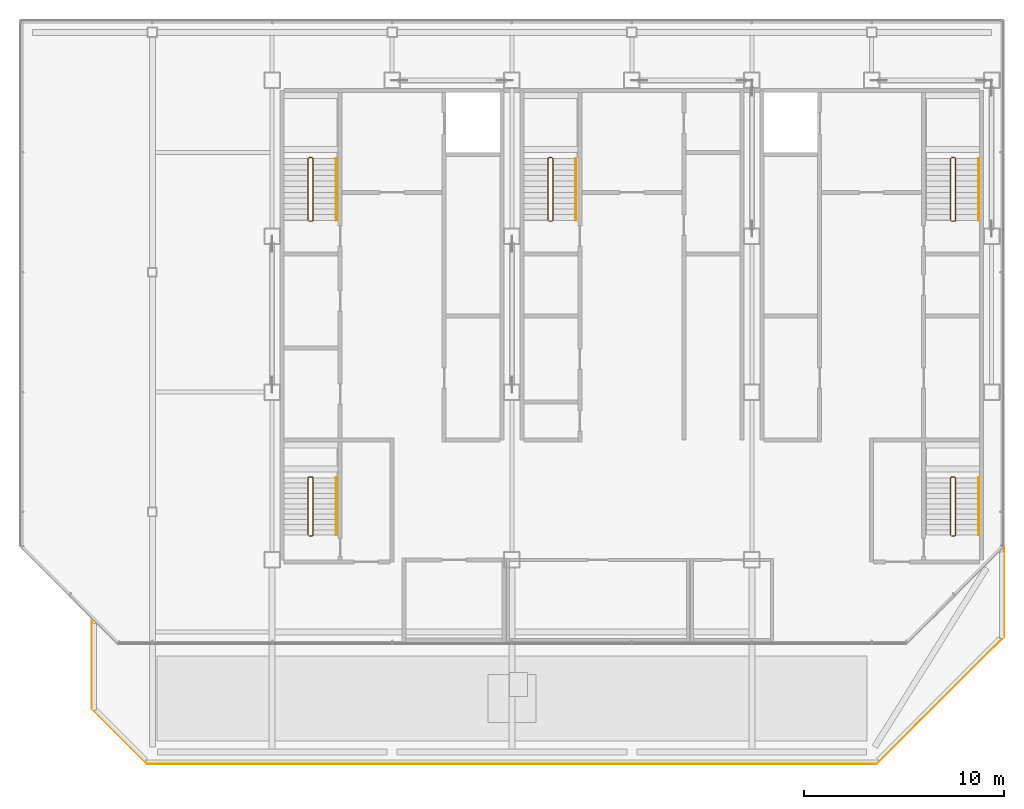
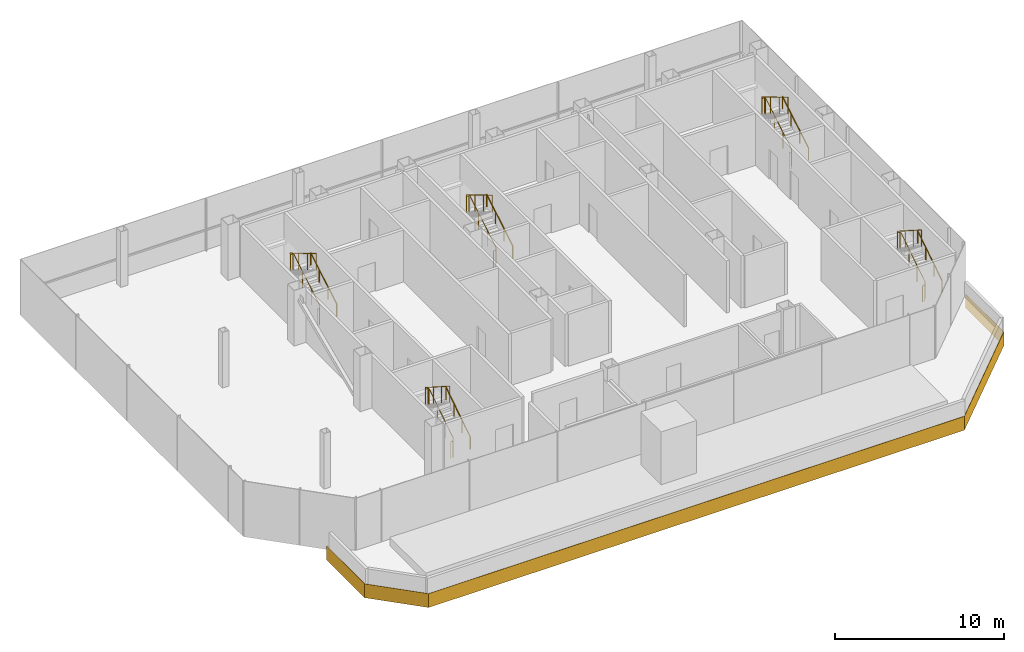
# One storey, part 17 of 18: 10 railings, 1 covering.
"""IFC4 building model written with IfcOpenShell, lengths in metres."""

from ifc_helpers import new_model, si_unit, direction, frame, origin, origin_2d, place, context, subcontext, project, spatial, polyline, circle, outline, extrude, material, layer, layer_set, type_object, element, save


model = new_model("IFC4")

# Units and contexts
model_context = context("Model", 3, precision=1e-05, world=origin(), true_north=direction((0.0, 1.0)))
body_context = subcontext(model_context, "Body", "Model", "MODEL_VIEW")
ifc_project = project(units=[si_unit("LENGTHUNIT", "METRE"), si_unit("AREAUNIT", "SQUARE_METRE"), si_unit("VOLUMEUNIT", "CUBIC_METRE"), si_unit("PLANEANGLEUNIT", "RADIAN"), si_unit("MASSUNIT", "GRAM", prefix="KILO")], contexts=[model_context])

# Site, building, storey
site_placement = place(None, origin())
site = spatial("IfcSite", under=ifc_project, at=site_placement, CompositionType="ELEMENT")
building_placement = place(site_placement, origin())
building = spatial("IfcBuilding", under=site, at=building_placement, Name="Sorahane Residences", CompositionType="ELEMENT")
storey_placement = place(building_placement, frame((0.0, 0.0, 345.800048828125)))
storey = spatial("IfcBuildingStorey", under=building, at=storey_placement, Name="L82", CompositionType="ELEMENT", Elevation=345.800048828125)

# Covering
ifc_material_1 = material(Name="Dark bronze aluminium", Category="aluminium")
ifc_layer = layer(ifc_material_1, 0.02001953125)
ifc_layer_set = layer_set([ifc_layer], Name="Edge fascia dark bronze aluminium 20")
covering_type = type_object("IfcCoveringType", Name="Edge fascia dark bronze aluminium 20", PredefinedType="CLADDING", material=ifc_layer_set)
covering_placement = place(storey_placement, frame((0.0, 0.0, -1.0)))
element("IfcCovering", 1, at=covering_placement, inside=storey, type_object=covering_type, Name="Edge fascia L82.1.1", PredefinedType="CLADDING", context=body_context, shape_type="SweptSolid", body=[
    extrude(outline(polyline([(42.62109375, 17.742919921875), (36.257080078125, 11.37890625), (-0.257080078125, 11.37890625), (-3.02099609375, 14.142822265625), (-3.02099609375, 18.63720703125), (-3.0009765625, 18.63720703125), (-3.0009765625, 14.151123046875), (-0.248779296875, 11.39892578125), (36.248779296875, 11.39892578125), (42.60107421875, 17.751220703125), (42.60107421875, 22.2373046875), (42.62109375, 22.2373046875), (42.62109375, 17.742919921875)])), origin(), (0.0, 0.0, 1.0), 1.0),
])

# Railings
ifc_material_2 = material(Name="Steel Q355B", Category="steel")
railing_type_1 = type_object("IfcRailingType", Name="Stair guard 1200 Steel Q355B", PredefinedType="GUARDRAIL", material=ifc_material_2)
railing_1_placement = place(storey_placement, frame((7.85009765625, 38.550048828125, 0.0)))
element("IfcRailing", 2, at=railing_1_placement, inside=storey, type_object=railing_type_1, Name="L82 S1 stair guard 1", PredefinedType="GUARDRAIL", context=body_context, shape_type="SweptSolid", body=[
    extrude(circle(Radius=0.02392578125, at=origin_2d()), frame((0.0, 0.0, 1.17578125), z_axis=(1.0, 0.0, 0.0), x_axis=(0.0, 1.0, 0.0)), (0.0, 0.0, 1.0), 0.14990234375),
    extrude(circle(Radius=0.02392578125, at=origin_2d()), frame((0.14990234375, 0.0, 1.17578125), z_axis=(0.27662974545, 0.27662974545, 0.920299933644), x_axis=(-0.707106781187, 0.707106781187, 0.0)), (0.0, 0.0, 1.0), 0.180908203125),
    extrude(circle(Radius=0.02392578125, at=origin_2d()), frame((0.199951171875, 0.050048828125, 1.34228515625), z_axis=(0.0, 0.859260807169, 0.511537745687), x_axis=(-1.0, 0.0, 0.0)), (0.0, 0.0, 1.0), 3.584228515625),
    extrude(circle(Radius=0.02392578125, at=origin_2d()), frame((0.199951171875, 3.1298828125, 3.17578125), z_axis=(-0.707106781187, 0.707106781187, 0.0), x_axis=(-0.707106781187, -0.707106781187, 0.0)), (0.0, 0.0, 1.0), 0.07080078125),
    extrude(circle(Radius=0.02392578125, at=origin_2d()), frame((0.14990234375, 3.179931640625, 3.17578125), z_axis=(-1.0, 0.0, 0.0), x_axis=(0.0, -1.0, 0.0)), (0.0, 0.0, 1.0), 0.14990234375),
    extrude(circle(Radius=0.02392578125, at=origin_2d()), frame((0.0, 3.179931640625, 3.17578125), z_axis=(-0.27662974545, -0.27662974545, 0.920299933644), x_axis=(0.707106781187, -0.707106781187, 0.0)), (0.0, 0.0, 1.0), 0.180908203125),
    extrude(circle(Radius=0.02392578125, at=origin_2d()), frame((-0.050048828125, 3.1298828125, 3.34228515625), z_axis=(0.0, -0.859260807169, 0.511537745687), x_axis=(1.0, 0.0, 0.0)), (0.0, 0.0, 1.0), 3.584228515625),
    extrude(circle(Radius=0.02099609375, at=origin_2d()), origin(), (0.0, 0.0, 1.0), 1.15185546875),
    extrude(circle(Radius=0.02099609375, at=origin_2d()), frame((0.14990234375, 0.0, 0.0)), (0.0, 0.0, 1.0), 1.15185546875),
    extrude(circle(Radius=0.02099609375, at=origin_2d()), frame((0.199951171875, 0.050048828125, 0.16650390625)), (0.0, 0.0, 1.0), 1.15185546875),
    extrude(circle(Radius=0.02099609375, at=origin_2d()), frame((0.199951171875, 1.07666015625, 0.777587890625)), (0.0, 0.0, 1.0), 1.15185546875),
    extrude(circle(Radius=0.02099609375, at=origin_2d()), frame((0.199951171875, 2.103271484375, 1.388916015625)), (0.0, 0.0, 1.0), 1.15185546875),
    extrude(circle(Radius=0.02099609375, at=origin_2d()), frame((0.199951171875, 3.1298828125, 2.0)), (0.0, 0.0, 1.0), 1.15185546875),
    extrude(circle(Radius=0.02099609375, at=origin_2d()), frame((0.14990234375, 3.179931640625, 2.0)), (0.0, 0.0, 1.0), 1.15185546875),
    extrude(circle(Radius=0.02099609375, at=origin_2d()), frame((0.0, 3.179931640625, 2.0)), (0.0, 0.0, 1.0), 1.15185546875),
    extrude(circle(Radius=0.02099609375, at=origin_2d()), frame((-0.050048828125, 3.1298828125, 2.16650390625)), (0.0, 0.0, 1.0), 1.15185546875),
    extrude(circle(Radius=0.02099609375, at=origin_2d()), frame((-0.050048828125, 2.103271484375, 2.777587890625)), (0.0, 0.0, 1.0), 1.15185546875),
    extrude(circle(Radius=0.02099609375, at=origin_2d()), frame((-0.050048828125, 1.07666015625, 3.388916015625)), (0.0, 0.0, 1.0), 1.15185546875),
    extrude(circle(Radius=0.02099609375, at=origin_2d()), frame((-0.050048828125, 0.050048828125, 4.0)), (0.0, 0.0, 1.0), 1.15185546875),
])
railing_2_placement = place(storey_placement, frame((40.0, 38.550048828125, 0.0)))
element("IfcRailing", 3, at=railing_2_placement, inside=storey, type_object=railing_type_1, Name="L82 S2 stair guard 1", PredefinedType="GUARDRAIL", context=body_context, shape_type="SweptSolid", body=[
    extrude(circle(Radius=0.02392578125, at=origin_2d()), frame((0.0, 0.0, 1.17578125), z_axis=(1.0, 0.0, 0.0), x_axis=(0.0, 1.0, 0.0)), (0.0, 0.0, 1.0), 0.14990234375),
    extrude(circle(Radius=0.02392578125, at=origin_2d()), frame((0.14990234375, 0.0, 1.17578125), z_axis=(0.27662974545, 0.27662974545, 0.920299933644), x_axis=(-0.707106781187, 0.707106781187, 0.0)), (0.0, 0.0, 1.0), 0.180908203125),
    extrude(circle(Radius=0.02392578125, at=origin_2d()), frame((0.199951171875, 0.050048828125, 1.34228515625), z_axis=(0.0, 0.859260807169, 0.511537745687), x_axis=(-1.0, 0.0, 0.0)), (0.0, 0.0, 1.0), 3.584228515625),
    extrude(circle(Radius=0.02392578125, at=origin_2d()), frame((0.199951171875, 3.1298828125, 3.17578125), z_axis=(-0.707106781187, 0.707106781187, 0.0), x_axis=(-0.707106781187, -0.707106781187, 0.0)), (0.0, 0.0, 1.0), 0.07080078125),
    extrude(circle(Radius=0.02392578125, at=origin_2d()), frame((0.14990234375, 3.179931640625, 3.17578125), z_axis=(-1.0, 0.0, 0.0), x_axis=(0.0, -1.0, 0.0)), (0.0, 0.0, 1.0), 0.14990234375),
    extrude(circle(Radius=0.02392578125, at=origin_2d()), frame((0.0, 3.179931640625, 3.17578125), z_axis=(-0.27662974545, -0.27662974545, 0.920299933644), x_axis=(0.707106781187, -0.707106781187, 0.0)), (0.0, 0.0, 1.0), 0.180908203125),
    extrude(circle(Radius=0.02392578125, at=origin_2d()), frame((-0.050048828125, 3.1298828125, 3.34228515625), z_axis=(0.0, -0.859260807169, 0.511537745687), x_axis=(1.0, 0.0, 0.0)), (0.0, 0.0, 1.0), 3.584228515625),
    extrude(circle(Radius=0.02099609375, at=origin_2d()), origin(), (0.0, 0.0, 1.0), 1.15185546875),
    extrude(circle(Radius=0.02099609375, at=origin_2d()), frame((0.14990234375, 0.0, 0.0)), (0.0, 0.0, 1.0), 1.15185546875),
    extrude(circle(Radius=0.02099609375, at=origin_2d()), frame((0.199951171875, 0.050048828125, 0.16650390625)), (0.0, 0.0, 1.0), 1.15185546875),
    extrude(circle(Radius=0.02099609375, at=origin_2d()), frame((0.199951171875, 1.07666015625, 0.777587890625)), (0.0, 0.0, 1.0), 1.15185546875),
    extrude(circle(Radius=0.02099609375, at=origin_2d()), frame((0.199951171875, 2.103271484375, 1.388916015625)), (0.0, 0.0, 1.0), 1.15185546875),
    extrude(circle(Radius=0.02099609375, at=origin_2d()), frame((0.199951171875, 3.1298828125, 2.0)), (0.0, 0.0, 1.0), 1.15185546875),
    extrude(circle(Radius=0.02099609375, at=origin_2d()), frame((0.14990234375, 3.179931640625, 2.0)), (0.0, 0.0, 1.0), 1.15185546875),
    extrude(circle(Radius=0.02099609375, at=origin_2d()), frame((0.0, 3.179931640625, 2.0)), (0.0, 0.0, 1.0), 1.15185546875),
    extrude(circle(Radius=0.02099609375, at=origin_2d()), frame((-0.050048828125, 3.1298828125, 2.16650390625)), (0.0, 0.0, 1.0), 1.15185546875),
    extrude(circle(Radius=0.02099609375, at=origin_2d()), frame((-0.050048828125, 2.103271484375, 2.777587890625)), (0.0, 0.0, 1.0), 1.15185546875),
    extrude(circle(Radius=0.02099609375, at=origin_2d()), frame((-0.050048828125, 1.07666015625, 3.388916015625)), (0.0, 0.0, 1.0), 1.15185546875),
    extrude(circle(Radius=0.02099609375, at=origin_2d()), frame((-0.050048828125, 0.050048828125, 4.0)), (0.0, 0.0, 1.0), 1.15185546875),
])
railing_3_placement = place(storey_placement, frame((19.85009765625, 38.550048828125, 0.0)))
element("IfcRailing", 4, at=railing_3_placement, inside=storey, type_object=railing_type_1, Name="L82 S3 stair guard 1", PredefinedType="GUARDRAIL", context=body_context, shape_type="SweptSolid", body=[
    extrude(circle(Radius=0.02392578125, at=origin_2d()), frame((0.0, 0.0, 1.17578125), z_axis=(1.0, 0.0, 0.0), x_axis=(0.0, 1.0, 0.0)), (0.0, 0.0, 1.0), 0.14990234375),
    extrude(circle(Radius=0.02392578125, at=origin_2d()), frame((0.14990234375, 0.0, 1.17578125), z_axis=(0.27662974545, 0.27662974545, 0.920299933644), x_axis=(-0.707106781187, 0.707106781187, 0.0)), (0.0, 0.0, 1.0), 0.180908203125),
    extrude(circle(Radius=0.02392578125, at=origin_2d()), frame((0.199951171875, 0.050048828125, 1.34228515625), z_axis=(0.0, 0.859260807169, 0.511537745687), x_axis=(-1.0, 0.0, 0.0)), (0.0, 0.0, 1.0), 3.584228515625),
    extrude(circle(Radius=0.02392578125, at=origin_2d()), frame((0.199951171875, 3.1298828125, 3.17578125), z_axis=(-0.707106781187, 0.707106781187, 0.0), x_axis=(-0.707106781187, -0.707106781187, 0.0)), (0.0, 0.0, 1.0), 0.07080078125),
    extrude(circle(Radius=0.02392578125, at=origin_2d()), frame((0.14990234375, 3.179931640625, 3.17578125), z_axis=(-1.0, 0.0, 0.0), x_axis=(0.0, -1.0, 0.0)), (0.0, 0.0, 1.0), 0.14990234375),
    extrude(circle(Radius=0.02392578125, at=origin_2d()), frame((0.0, 3.179931640625, 3.17578125), z_axis=(-0.27662974545, -0.27662974545, 0.920299933644), x_axis=(0.707106781187, -0.707106781187, 0.0)), (0.0, 0.0, 1.0), 0.180908203125),
    extrude(circle(Radius=0.02392578125, at=origin_2d()), frame((-0.050048828125, 3.1298828125, 3.34228515625), z_axis=(0.0, -0.859260807169, 0.511537745687), x_axis=(1.0, 0.0, 0.0)), (0.0, 0.0, 1.0), 3.584228515625),
    extrude(circle(Radius=0.02099609375, at=origin_2d()), origin(), (0.0, 0.0, 1.0), 1.15185546875),
    extrude(circle(Radius=0.02099609375, at=origin_2d()), frame((0.14990234375, 0.0, 0.0)), (0.0, 0.0, 1.0), 1.15185546875),
    extrude(circle(Radius=0.02099609375, at=origin_2d()), frame((0.199951171875, 0.050048828125, 0.16650390625)), (0.0, 0.0, 1.0), 1.15185546875),
    extrude(circle(Radius=0.02099609375, at=origin_2d()), frame((0.199951171875, 1.07666015625, 0.777587890625)), (0.0, 0.0, 1.0), 1.15185546875),
    extrude(circle(Radius=0.02099609375, at=origin_2d()), frame((0.199951171875, 2.103271484375, 1.388916015625)), (0.0, 0.0, 1.0), 1.15185546875),
    extrude(circle(Radius=0.02099609375, at=origin_2d()), frame((0.199951171875, 3.1298828125, 2.0)), (0.0, 0.0, 1.0), 1.15185546875),
    extrude(circle(Radius=0.02099609375, at=origin_2d()), frame((0.14990234375, 3.179931640625, 2.0)), (0.0, 0.0, 1.0), 1.15185546875),
    extrude(circle(Radius=0.02099609375, at=origin_2d()), frame((0.0, 3.179931640625, 2.0)), (0.0, 0.0, 1.0), 1.15185546875),
    extrude(circle(Radius=0.02099609375, at=origin_2d()), frame((-0.050048828125, 3.1298828125, 2.16650390625)), (0.0, 0.0, 1.0), 1.15185546875),
    extrude(circle(Radius=0.02099609375, at=origin_2d()), frame((-0.050048828125, 2.103271484375, 2.777587890625)), (0.0, 0.0, 1.0), 1.15185546875),
    extrude(circle(Radius=0.02099609375, at=origin_2d()), frame((-0.050048828125, 1.07666015625, 3.388916015625)), (0.0, 0.0, 1.0), 1.15185546875),
    extrude(circle(Radius=0.02099609375, at=origin_2d()), frame((-0.050048828125, 0.050048828125, 4.0)), (0.0, 0.0, 1.0), 1.15185546875),
])
railing_4_placement = place(storey_placement, frame((7.85009765625, 22.800048828125, 0.0)))
element("IfcRailing", 5, at=railing_4_placement, inside=storey, type_object=railing_type_1, Name="L82 S4 stair guard 1", PredefinedType="GUARDRAIL", context=body_context, shape_type="SweptSolid", body=[
    extrude(circle(Radius=0.02392578125, at=origin_2d()), frame((0.0, 0.0, 1.17578125), z_axis=(1.0, 0.0, 0.0), x_axis=(0.0, 1.0, 0.0)), (0.0, 0.0, 1.0), 0.14990234375),
    extrude(circle(Radius=0.02392578125, at=origin_2d()), frame((0.14990234375, 0.0, 1.17578125), z_axis=(0.27662974545, 0.27662974545, 0.920299933644), x_axis=(-0.707106781187, 0.707106781187, 0.0)), (0.0, 0.0, 1.0), 0.180908203125),
    extrude(circle(Radius=0.02392578125, at=origin_2d()), frame((0.199951171875, 0.050048828125, 1.34228515625), z_axis=(0.0, 0.841845648701, 0.539718355963), x_axis=(-1.0, 0.0, 0.0)), (0.0, 0.0, 1.0), 3.397216796875),
    extrude(circle(Radius=0.02392578125, at=origin_2d()), frame((0.199951171875, 2.909912109375, 3.17578125), z_axis=(-0.707106781187, 0.707106781187, 0.0), x_axis=(-0.707106781187, -0.707106781187, 0.0)), (0.0, 0.0, 1.0), 0.07080078125),
    extrude(circle(Radius=0.02392578125, at=origin_2d()), frame((0.14990234375, 2.9599609375, 3.17578125), z_axis=(-1.0, 0.0, 0.0), x_axis=(0.0, -1.0, 0.0)), (0.0, 0.0, 1.0), 0.14990234375),
    extrude(circle(Radius=0.02392578125, at=origin_2d()), frame((0.0, 2.9599609375, 3.17578125), z_axis=(-0.27662974545, -0.27662974545, 0.920299933644), x_axis=(0.707106781187, -0.707106781187, 0.0)), (0.0, 0.0, 1.0), 0.180908203125),
    extrude(circle(Radius=0.02392578125, at=origin_2d()), frame((-0.050048828125, 2.909912109375, 3.34228515625), z_axis=(0.0, -0.841845648701, 0.539718355963), x_axis=(1.0, 0.0, 0.0)), (0.0, 0.0, 1.0), 3.397216796875),
    extrude(circle(Radius=0.02099609375, at=origin_2d()), origin(), (0.0, 0.0, 1.0), 1.15185546875),
    extrude(circle(Radius=0.02099609375, at=origin_2d()), frame((0.14990234375, 0.0, 0.0)), (0.0, 0.0, 1.0), 1.15185546875),
    extrude(circle(Radius=0.02099609375, at=origin_2d()), frame((0.199951171875, 0.050048828125, 0.16650390625)), (0.0, 0.0, 1.0), 1.15185546875),
    extrude(circle(Radius=0.02099609375, at=origin_2d()), frame((0.199951171875, 1.00341796875, 0.777587890625)), (0.0, 0.0, 1.0), 1.15185546875),
    extrude(circle(Radius=0.02099609375, at=origin_2d()), frame((0.199951171875, 1.95654296875, 1.388916015625)), (0.0, 0.0, 1.0), 1.15185546875),
    extrude(circle(Radius=0.02099609375, at=origin_2d()), frame((0.199951171875, 2.909912109375, 2.0)), (0.0, 0.0, 1.0), 1.15185546875),
    extrude(circle(Radius=0.02099609375, at=origin_2d()), frame((0.14990234375, 2.9599609375, 2.0)), (0.0, 0.0, 1.0), 1.15185546875),
    extrude(circle(Radius=0.02099609375, at=origin_2d()), frame((0.0, 2.9599609375, 2.0)), (0.0, 0.0, 1.0), 1.15185546875),
    extrude(circle(Radius=0.02099609375, at=origin_2d()), frame((-0.050048828125, 2.909912109375, 2.16650390625)), (0.0, 0.0, 1.0), 1.15185546875),
    extrude(circle(Radius=0.02099609375, at=origin_2d()), frame((-0.050048828125, 1.95654296875, 2.777587890625)), (0.0, 0.0, 1.0), 1.15185546875),
    extrude(circle(Radius=0.02099609375, at=origin_2d()), frame((-0.050048828125, 1.00341796875, 3.388916015625)), (0.0, 0.0, 1.0), 1.15185546875),
    extrude(circle(Radius=0.02099609375, at=origin_2d()), frame((-0.050048828125, 0.050048828125, 4.0)), (0.0, 0.0, 1.0), 1.15185546875),
])
railing_5_placement = place(storey_placement, frame((40.0, 22.800048828125, 0.0)))
element("IfcRailing", 6, at=railing_5_placement, inside=storey, type_object=railing_type_1, Name="L82 S5 stair guard 1", PredefinedType="GUARDRAIL", context=body_context, shape_type="SweptSolid", body=[
    extrude(circle(Radius=0.02392578125, at=origin_2d()), frame((0.0, 0.0, 1.17578125), z_axis=(1.0, 0.0, 0.0), x_axis=(0.0, 1.0, 0.0)), (0.0, 0.0, 1.0), 0.14990234375),
    extrude(circle(Radius=0.02392578125, at=origin_2d()), frame((0.14990234375, 0.0, 1.17578125), z_axis=(0.27662974545, 0.27662974545, 0.920299933644), x_axis=(-0.707106781187, 0.707106781187, 0.0)), (0.0, 0.0, 1.0), 0.180908203125),
    extrude(circle(Radius=0.02392578125, at=origin_2d()), frame((0.199951171875, 0.050048828125, 1.34228515625), z_axis=(0.0, 0.841845648701, 0.539718355963), x_axis=(-1.0, 0.0, 0.0)), (0.0, 0.0, 1.0), 3.397216796875),
    extrude(circle(Radius=0.02392578125, at=origin_2d()), frame((0.199951171875, 2.909912109375, 3.17578125), z_axis=(-0.707106781187, 0.707106781187, 0.0), x_axis=(-0.707106781187, -0.707106781187, 0.0)), (0.0, 0.0, 1.0), 0.07080078125),
    extrude(circle(Radius=0.02392578125, at=origin_2d()), frame((0.14990234375, 2.9599609375, 3.17578125), z_axis=(-1.0, 0.0, 0.0), x_axis=(0.0, -1.0, 0.0)), (0.0, 0.0, 1.0), 0.14990234375),
    extrude(circle(Radius=0.02392578125, at=origin_2d()), frame((0.0, 2.9599609375, 3.17578125), z_axis=(-0.27662974545, -0.27662974545, 0.920299933644), x_axis=(0.707106781187, -0.707106781187, 0.0)), (0.0, 0.0, 1.0), 0.180908203125),
    extrude(circle(Radius=0.02392578125, at=origin_2d()), frame((-0.050048828125, 2.909912109375, 3.34228515625), z_axis=(0.0, -0.841845648701, 0.539718355963), x_axis=(1.0, 0.0, 0.0)), (0.0, 0.0, 1.0), 3.397216796875),
    extrude(circle(Radius=0.02099609375, at=origin_2d()), origin(), (0.0, 0.0, 1.0), 1.15185546875),
    extrude(circle(Radius=0.02099609375, at=origin_2d()), frame((0.14990234375, 0.0, 0.0)), (0.0, 0.0, 1.0), 1.15185546875),
    extrude(circle(Radius=0.02099609375, at=origin_2d()), frame((0.199951171875, 0.050048828125, 0.16650390625)), (0.0, 0.0, 1.0), 1.15185546875),
    extrude(circle(Radius=0.02099609375, at=origin_2d()), frame((0.199951171875, 1.00341796875, 0.777587890625)), (0.0, 0.0, 1.0), 1.15185546875),
    extrude(circle(Radius=0.02099609375, at=origin_2d()), frame((0.199951171875, 1.95654296875, 1.388916015625)), (0.0, 0.0, 1.0), 1.15185546875),
    extrude(circle(Radius=0.02099609375, at=origin_2d()), frame((0.199951171875, 2.909912109375, 2.0)), (0.0, 0.0, 1.0), 1.15185546875),
    extrude(circle(Radius=0.02099609375, at=origin_2d()), frame((0.14990234375, 2.9599609375, 2.0)), (0.0, 0.0, 1.0), 1.15185546875),
    extrude(circle(Radius=0.02099609375, at=origin_2d()), frame((0.0, 2.9599609375, 2.0)), (0.0, 0.0, 1.0), 1.15185546875),
    extrude(circle(Radius=0.02099609375, at=origin_2d()), frame((-0.050048828125, 2.909912109375, 2.16650390625)), (0.0, 0.0, 1.0), 1.15185546875),
    extrude(circle(Radius=0.02099609375, at=origin_2d()), frame((-0.050048828125, 1.95654296875, 2.777587890625)), (0.0, 0.0, 1.0), 1.15185546875),
    extrude(circle(Radius=0.02099609375, at=origin_2d()), frame((-0.050048828125, 1.00341796875, 3.388916015625)), (0.0, 0.0, 1.0), 1.15185546875),
    extrude(circle(Radius=0.02099609375, at=origin_2d()), frame((-0.050048828125, 0.050048828125, 4.0)), (0.0, 0.0, 1.0), 1.15185546875),
])
ifc_material_3 = material(Name="Steel Q355B", Category="steel")
railing_type_2 = type_object("IfcRailingType", Name="Stair handrail 900 Steel Q355B", PredefinedType="HANDRAIL", material=ifc_material_3)
for number, where, name in (
    (7, (9.199951171875, 38.60009765625, 0.16650390625), "L82 S1 stair handrail 1"),
    (8, (41.35009765625, 38.60009765625, 0.16650390625), "L82 S2 stair handrail 1"),
    (9, (21.199951171875, 38.60009765625, 0.16650390625), "L82 S3 stair handrail 1"),
):
    element("IfcRailing", number, at=place(storey_placement, frame(where)), inside=storey, type_object=railing_type_2, Name=name, PredefinedType="HANDRAIL", context=body_context, shape_type="SweptSolid", body=[
        extrude(circle(Radius=0.02392578125, at=origin_2d()), frame((0.0, 0.0, 0.8759765625), z_axis=(0.0, 0.859260807169, 0.511537745687), x_axis=(-1.0, 0.0, 0.0)), (0.0, 0.0, 1.0), 3.584228515625),
        extrude(circle(Radius=0.02099609375, at=origin_2d()), origin(), (0.0, 0.0, 1.0), 0.851806640625),
        extrude(circle(Radius=0.02099609375, at=origin_2d()), frame((0.0, 1.026611328125, 0.611083984375)), (0.0, 0.0, 1.0), 0.851806640625),
        extrude(circle(Radius=0.02099609375, at=origin_2d()), frame((0.0, 2.05322265625, 1.222412109375)), (0.0, 0.0, 1.0), 0.851806640625),
        extrude(circle(Radius=0.02099609375, at=origin_2d()), frame((0.0, 3.079833984375, 1.83349609375)), (0.0, 0.0, 1.0), 0.851806640625),
    ])
for number, where, name in (
    (10, (9.199951171875, 22.85009765625, 0.16650390625), "L82 S4 stair handrail 1"),
    (11, (41.35009765625, 22.85009765625, 0.16650390625), "L82 S5 stair handrail 1"),
):
    element("IfcRailing", number, at=place(storey_placement, frame(where)), inside=storey, type_object=railing_type_2, Name=name, PredefinedType="HANDRAIL", context=body_context, shape_type="SweptSolid", body=[
        extrude(circle(Radius=0.02392578125, at=origin_2d()), frame((0.0, 0.0, 0.8759765625), z_axis=(0.0, 0.841845648701, 0.539718355963), x_axis=(-1.0, 0.0, 0.0)), (0.0, 0.0, 1.0), 3.397216796875),
        extrude(circle(Radius=0.02099609375, at=origin_2d()), origin(), (0.0, 0.0, 1.0), 0.851806640625),
        extrude(circle(Radius=0.02099609375, at=origin_2d()), frame((0.0, 0.953369140625, 0.611083984375)), (0.0, 0.0, 1.0), 0.851806640625),
        extrude(circle(Radius=0.02099609375, at=origin_2d()), frame((0.0, 1.906494140625, 1.222412109375)), (0.0, 0.0, 1.0), 0.851806640625),
        extrude(circle(Radius=0.02099609375, at=origin_2d()), frame((0.0, 2.85986328125, 1.83349609375)), (0.0, 0.0, 1.0), 0.851806640625),
    ])

save(model, "model.ifc")
